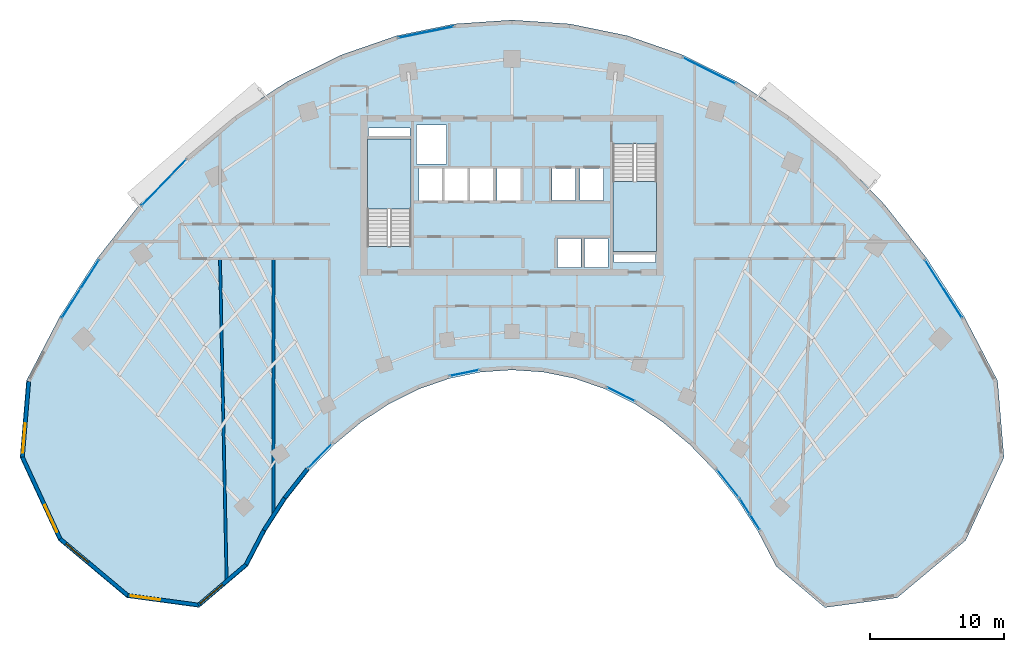
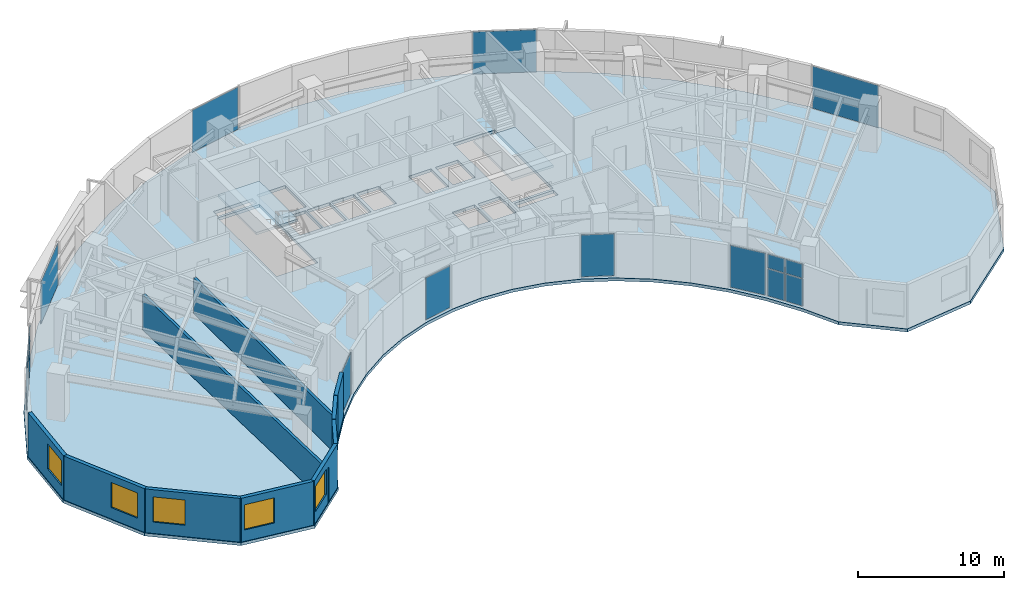
# One storey, part 7 of 14: 16 plates, 10 walls, 5 windows, 3 slabs, 5 openings, 12 elements without a shape of their own.
"""IFC4 building model written with IfcOpenShell, lengths in metres."""

from ifc_helpers import new_model, si_unit, direction, frame, frame_2d, origin, origin_2d, place, context, subcontext, project, spatial, polyline, rectangle, outline, extrude, source, transform, mapped, material, layer, layer_set, type_object, type_shapes, element, fill, aggregate, save


model = new_model("IFC4")

# Units and contexts
model_context = context("Model", 3, precision=1e-05, world=origin(), true_north=direction((0.0, 1.0)))
body_context = subcontext(model_context, "Body", "Model", "MODEL_VIEW")
ifc_project = project(units=[si_unit("LENGTHUNIT", "METRE"), si_unit("AREAUNIT", "SQUARE_METRE"), si_unit("VOLUMEUNIT", "CUBIC_METRE"), si_unit("PLANEANGLEUNIT", "RADIAN"), si_unit("MASSUNIT", "GRAM", prefix="KILO")], contexts=[model_context])

# Site, building, storey
site_placement = place(None, origin())
site = spatial("IfcSite", under=ifc_project, at=site_placement, CompositionType="ELEMENT")
building_placement = place(site_placement, origin())
building = spatial("IfcBuilding", under=site, at=building_placement, Name="Breltana Convention Tower", CompositionType="ELEMENT")
storey_placement = place(building_placement, frame((0.0, 0.0, 138.89990234375)))
storey = spatial("IfcBuildingStorey", under=building, at=storey_placement, Name="L33", CompositionType="ELEMENT", Elevation=138.89990234375)

# Slab
ifc_material_1 = material(Name="Concrete C40/50", Category="concrete")
ifc_layer_1 = layer(ifc_material_1, 0.25, Name="Concrete C40/50")
ifc_layer_set_1 = layer_set([ifc_layer_1], Name="Concrete C40/50")
slab_type_1 = type_object("IfcSlabType", Name="SL-OFF-250", PredefinedType="FLOOR", material=ifc_layer_set_1)
slab_1_placement = place(storey_placement, frame((0.0, 0.0, -0.25)))
element("IfcSlab", 1, at=slab_1_placement, inside=storey, type_object=slab_type_1, Name="L33 Suspended Structural Floor Slab", PredefinedType="FLOOR", context=body_context, shape_type="SweptSolid", body=[
    extrude(outline(polyline([(84.254150390625, 52.3564453125), (81.779052734375, 57.1103515625), (78.958251953125, 61.5048828125), (75.820556640625, 65.494873046875), (72.39794921875, 69.03955078125), (68.7255859375, 72.1025390625), (64.841064453125, 74.652587890625), (60.783935546875, 76.663818359375), (56.59619140625, 78.114990234375), (52.3203125, 78.99169921875), (48.0, 79.284912109375), (43.6796875, 78.99169921875), (39.40380859375, 78.114990234375), (35.216064453125, 76.663818359375), (31.158935546875, 74.652587890625), (27.2744140625, 72.1025390625), (23.60205078125, 69.03955078125), (20.179443359375, 65.494873046875), (17.041748046875, 61.5048828125), (14.220947265625, 57.1103515625), (11.745849609375, 52.3564453125), (11.266357421875, 46.619384765625), (14.128173828125, 40.42919921875), (19.23828125, 36.150146484375), (24.64501953125, 35.4169921875), (28.282958984375, 38.509521484375), (29.62890625, 41.09521484375), (31.1630859375, 43.485107421875), (32.869384765625, 45.655029296875), (34.73095703125, 47.5830078125), (36.728271484375, 49.248779296875), (38.8408203125, 50.6357421875), (41.04736328125, 51.7294921875), (43.324951171875, 52.518798828125), (45.650390625, 52.99560546875), (48.0, 53.155029296875), (50.349609375, 52.99560546875), (52.675048828125, 52.518798828125), (54.95263671875, 51.7294921875), (57.1591796875, 50.6357421875), (59.271728515625, 49.248779296875), (61.26904296875, 47.5830078125), (63.130615234375, 45.655029296875), (64.8369140625, 43.485107421875), (66.37109375, 41.09521484375), (67.717041015625, 38.509521484375), (71.35498046875, 35.4169921875), (76.76171875, 36.150146484375), (81.871826171875, 40.42919921875), (84.733642578125, 46.619384765625), (84.254150390625, 52.3564453125)]), holes=[polyline([(37.199951171875, 62.385009765625), (40.469970703125, 62.385009765625), (40.469970703125, 70.39990234375), (37.199951171875, 70.39990234375), (37.199951171875, 62.385009765625)]), polyline([(55.530029296875, 62.0), (58.800048828125, 62.0), (58.800048828125, 70.014892578125), (55.530029296875, 70.014892578125), (55.530029296875, 62.0)]), polyline([(51.39990234375, 60.800048828125), (53.159912109375, 60.800048828125), (53.159912109375, 62.97998046875), (51.39990234375, 62.97998046875), (51.39990234375, 60.800048828125)]), polyline([(53.39990234375, 60.800048828125), (55.159912109375, 60.800048828125), (55.159912109375, 62.97998046875), (53.39990234375, 62.97998046875), (53.39990234375, 60.800048828125)]), polyline([(41.0400390625, 65.820068359375), (42.800048828125, 65.820068359375), (42.800048828125, 68.179931640625), (41.0400390625, 68.179931640625), (41.0400390625, 65.820068359375)]), polyline([(42.93994140625, 65.820068359375), (44.699951171875, 65.820068359375), (44.699951171875, 68.179931640625), (42.93994140625, 68.179931640625), (42.93994140625, 65.820068359375)]), polyline([(44.8701171875, 65.820068359375), (46.6298828125, 65.820068359375), (46.6298828125, 68.179931640625), (44.8701171875, 68.179931640625), (44.8701171875, 65.820068359375)]), polyline([(46.8701171875, 65.820068359375), (48.6298828125, 65.820068359375), (48.6298828125, 68.179931640625), (46.8701171875, 68.179931640625), (46.8701171875, 65.820068359375)]), polyline([(50.969970703125, 65.800048828125), (52.72998046875, 65.800048828125), (52.72998046875, 68.179931640625), (50.969970703125, 68.179931640625), (50.969970703125, 65.800048828125)]), polyline([(53.070068359375, 65.800048828125), (54.830078125, 65.800048828125), (54.830078125, 68.179931640625), (53.070068359375, 68.179931640625), (53.070068359375, 65.800048828125)]), polyline([(40.8798828125, 68.550048828125), (43.1201171875, 68.550048828125), (43.1201171875, 71.449951171875), (40.8798828125, 71.449951171875), (40.8798828125, 68.550048828125)]), polyline([(37.300048828125, 70.60009765625), (40.3798828125, 70.60009765625), (40.3798828125, 71.219970703125), (37.300048828125, 71.219970703125), (37.300048828125, 70.60009765625)]), polyline([(55.6201171875, 61.179931640625), (58.699951171875, 61.179931640625), (58.699951171875, 61.800048828125), (55.6201171875, 61.800048828125), (55.6201171875, 61.179931640625)])]), origin(), (0.0, 0.0, 1.0), 0.25),
])

# Stair, slab
stair_type = type_object("IfcStairType", Name="ST-DOG-1560-R177", PredefinedType="HALF_TURN_STAIR", material=ifc_material_1)
stair_1_placement = place(storey_placement, origin())
stair_1 = element("IfcStair", 2, at=stair_1_placement, inside=storey, type_object=stair_type, Name="L33 Protected Core Exit Stair ST-1", PredefinedType="HALF_TURN_STAIR")
ifc_layer_2 = layer(ifc_material_1, 0.199951171875, Name="Concrete C40/50")
ifc_layer_set_2 = layer_set([ifc_layer_2], Name="Concrete C40/50")
slab_type_2 = type_object("IfcSlabType", Name="SL-STAIR-LANDING-200", PredefinedType="LANDING", material=ifc_layer_set_2)
slab_2_placement = place(storey_placement, frame((0.0, 0.0, 1.75)))
slab_2 = element("IfcSlab", 3, at=slab_2_placement, type_object=slab_type_2, Name="ST-1 landing 1", PredefinedType="LANDING", context=body_context, shape_type="SweptSolid", body=[
    extrude(outline(polyline([(40.469970703125, 65.159912109375), (40.469970703125, 70.39990234375), (37.199951171875, 70.39990234375), (37.199951171875, 65.159912109375), (40.469970703125, 65.159912109375)])), origin(), (0.0, 0.0, 1.0), 0.2001953125),
])
aggregate(stair_1, [slab_2])

stair_2_placement = place(storey_placement, origin())
stair_2 = element("IfcStair", 4, at=stair_2_placement, inside=storey, type_object=stair_type, Name="L33 Protected Core Exit Stair ST-2", PredefinedType="HALF_TURN_STAIR")
slab_3_placement = place(storey_placement, frame((0.0, 0.0, 1.75)))
slab_3 = element("IfcSlab", 5, at=slab_3_placement, type_object=slab_type_2, Name="ST-2 landing 1", PredefinedType="LANDING", context=body_context, shape_type="SweptSolid", body=[
    extrude(outline(polyline([(55.530029296875, 67.239990234375), (55.530029296875, 62.0), (58.800048828125, 62.0), (58.800048828125, 67.239990234375), (55.530029296875, 67.239990234375)])), origin(), (0.0, 0.0, 1.0), 0.2001953125),
])
aggregate(stair_2, [slab_3])

# Curtain wall, plates
ifc_material_2 = material(Name="Aluminium Anodised Bronze Frame", Category="aluminium")
ifc_layer_3 = layer(ifc_material_2, 0.18994140625, Name="Aluminium Anodised Bronze Frame")
ifc_layer_set_3 = layer_set([ifc_layer_3], Name="Aluminium Anodised Bronze Frame")
curtain_wall_type_1 = type_object("IfcCurtainWallType", Name="CW-SYS-1", PredefinedType="NOTDEFINED", material=ifc_layer_set_3)
curtain_wall_1_placement = place(storey_placement, origin())
curtain_wall_1 = element("IfcCurtainWall", 6, at=curtain_wall_1_placement, inside=storey, type_object=curtain_wall_type_1, Name="L33 inner south-court glazing 1", PredefinedType="NOTDEFINED")
ifc_material_3 = material(Name="Glass Low-E Double Glazing", Category="glass")
ifc_layer_4 = layer(ifc_material_3, 0.028076171875, Name="Glass Low-E Double Glazing")
ifc_layer_set_4 = layer_set([ifc_layer_4], Name="Glass Low-E Double Glazing")
plate_type_1 = type_object("IfcPlateType", Name="CWP-IGU-28", PredefinedType="CURTAIN_PANEL", material=ifc_layer_set_4)
shared_shape_1 = source(origin(), body_context, "Body", "SweptSolid", [
    extrude(rectangle(XDim=1.300048828125, YDim=0.028076171875, at=origin_2d()), origin(), (0.0, 0.0, 1.0), 2.25244140625),
])
plate_1_placement = place(storey_placement, frame((66.128173828125, 41.806640625, 0.080078125), z_axis=(0.0, 0.0, 1.0), x_axis=(-0.5401773017, 0.841551235949, 0.0)))
plate_1 = element("IfcPlate", 7, at=plate_1_placement, type_object=plate_type_1, Name="CW-01 panel 1.1", PredefinedType="CURTAIN_PANEL", context=body_context, shape_type="MappedRepresentation", body=[
    mapped(shared_shape_1, transform((0.0, 0.0, 0.0), scale=1.0)),
])
plate_2_placement = place(storey_placement, frame((65.3828125, 42.968017578125, 0.080078125), z_axis=(0.0, 0.0, 1.0), x_axis=(-0.5401773017, 0.841551235949, 0.0)))
plate_2 = element("IfcPlate", 8, at=plate_2_placement, type_object=plate_type_1, Name="CW-01 panel 2.1", PredefinedType="CURTAIN_PANEL", context=body_context, shape_type="MappedRepresentation", body=[
    mapped(shared_shape_1, transform((0.0, 0.0, 0.0), scale=1.0)),
])
shared_shape_2 = source(origin(), body_context, "Body", "SweptSolid", [
    extrude(rectangle(XDim=1.300048828125, YDim=0.028076171875, at=origin_2d()), origin(), (0.0, 0.0, 1.0), 1.157470703125),
])
plate_3_placement = place(storey_placement, frame((66.128173828125, 41.806640625, 2.41259765625), z_axis=(0.0, 0.0, 1.0), x_axis=(-0.5401773017, 0.841551235949, 0.0)))
plate_3 = element("IfcPlate", 9, at=plate_3_placement, type_object=plate_type_1, Name="CW-01 panel 1.2", PredefinedType="CURTAIN_PANEL", context=body_context, shape_type="MappedRepresentation", body=[
    mapped(shared_shape_2, transform((0.0, 0.0, 0.0), scale=1.0)),
])
plate_4_placement = place(storey_placement, frame((65.3828125, 42.968017578125, 2.41259765625), z_axis=(0.0, 0.0, 1.0), x_axis=(-0.5401773017, 0.841551235949, 0.0)))
plate_4 = element("IfcPlate", 10, at=plate_4_placement, type_object=plate_type_1, Name="CW-01 panel 2.2", PredefinedType="CURTAIN_PANEL", context=body_context, shape_type="MappedRepresentation", body=[
    mapped(shared_shape_2, transform((0.0, 0.0, 0.0), scale=1.0)),
])
aggregate(curtain_wall_1, [plate_1, plate_3, plate_2, plate_4])

# Curtain wall, plate
curtain_wall_2_placement = place(storey_placement, origin())
curtain_wall_2 = element("IfcCurtainWall", 11, at=curtain_wall_2_placement, inside=storey, type_object=curtain_wall_type_1, Name="L33 inner south-court glazing 2", PredefinedType="NOTDEFINED")
shared_shape_3 = source(origin(), body_context, "Body", "SweptSolid", [
    extrude(rectangle(XDim=2.6005859375, YDim=0.028076171875, at=origin_2d()), origin(), (0.0, 0.0, 1.0), 3.489990234375),
])
plate_5_placement = place(storey_placement, frame((64.125244140625, 44.681396484375, 0.080078125), z_axis=(0.0, 0.0, 1.0), x_axis=(-0.61815745037, 0.786054302547, 0.0)))
plate_5 = element("IfcPlate", 12, at=plate_5_placement, type_object=plate_type_1, Name="CW-01 panel 1.1", PredefinedType="CURTAIN_PANEL", context=body_context, shape_type="MappedRepresentation", body=[
    mapped(shared_shape_3, transform((0.0, 0.0, 0.0), scale=1.0)),
])
aggregate(curtain_wall_2, [plate_5])

# Curtain wall, plates
ifc_layer_5 = layer(ifc_material_2, 0.22998046875, Name="Aluminium Anodised Bronze Frame")
ifc_layer_set_5 = layer_set([ifc_layer_5], Name="Aluminium Anodised Bronze Frame")
curtain_wall_type_2 = type_object("IfcCurtainWallType", Name="CW-SYS-5", PredefinedType="NOTDEFINED", material=ifc_layer_set_5)
curtain_wall_3_placement = place(storey_placement, origin())
curtain_wall_3 = element("IfcCurtainWall", 13, at=curtain_wall_3_placement, inside=storey, type_object=curtain_wall_type_2, Name="L33 outer double-skin inner glazing 1", PredefinedType="NOTDEFINED")
ifc_layer_6 = layer(ifc_material_3, 0.035888671875, Name="Glass Low-E Double Glazing")
ifc_layer_set_6 = layer_set([ifc_layer_6], Name="Glass Low-E Double Glazing")
plate_type_2 = type_object("IfcPlateType", Name="CWP-IGU-36", PredefinedType="CURTAIN_PANEL", material=ifc_layer_set_6)
shared_shape_4 = source(origin(), body_context, "Body", "SweptSolid", [
    extrude(rectangle(XDim=2.49755859375, YDim=0.035888671875, at=origin_2d()), origin(), (0.0, 0.0, 1.0), 2.267578125),
])
plate_6_placement = place(storey_placement, frame((15.089111328125, 58.1298828125, 0.070068359375), z_axis=(0.0, 0.0, 1.0), x_axis=(0.540176809834, 0.84155155167, 0.0)))
plate_6 = element("IfcPlate", 14, at=plate_6_placement, type_object=plate_type_2, Name="CW-05 panel 1.1", PredefinedType="CURTAIN_PANEL", context=body_context, shape_type="MappedRepresentation", body=[
    mapped(shared_shape_4, transform((0.0, 0.0, 0.0), scale=1.0)),
])
plate_7_placement = place(storey_placement, frame((16.47607421875, 60.29052734375, 0.070068359375), z_axis=(0.0, 0.0, 1.0), x_axis=(0.540176809834, 0.84155155167, 0.0)))
plate_7 = element("IfcPlate", 15, at=plate_7_placement, type_object=plate_type_2, Name="CW-05 panel 2.1", PredefinedType="CURTAIN_PANEL", context=body_context, shape_type="MappedRepresentation", body=[
    mapped(shared_shape_4, transform((0.0, 0.0, 0.0), scale=1.0)),
])
shared_shape_5 = source(origin(), body_context, "Body", "SweptSolid", [
    extrude(rectangle(XDim=2.49755859375, YDim=0.035888671875, at=origin_2d()), origin(), (0.0, 0.0, 1.0), 1.172607421875),
])
plate_8_placement = place(storey_placement, frame((15.089111328125, 58.1298828125, 2.40771484375), z_axis=(0.0, 0.0, 1.0), x_axis=(0.540176809834, 0.84155155167, 0.0)))
plate_8 = element("IfcPlate", 16, at=plate_8_placement, type_object=plate_type_2, Name="CW-05 panel 1.2", PredefinedType="CURTAIN_PANEL", context=body_context, shape_type="MappedRepresentation", body=[
    mapped(shared_shape_5, transform((0.0, 0.0, 0.0), scale=1.0)),
])
plate_9_placement = place(storey_placement, frame((16.47607421875, 60.29052734375, 2.40771484375), z_axis=(0.0, 0.0, 1.0), x_axis=(0.540176809834, 0.84155155167, 0.0)))
plate_9 = element("IfcPlate", 17, at=plate_9_placement, type_object=plate_type_2, Name="CW-05 panel 2.2", PredefinedType="CURTAIN_PANEL", context=body_context, shape_type="MappedRepresentation", body=[
    mapped(shared_shape_5, transform((0.0, 0.0, 0.0), scale=1.0)),
])
aggregate(curtain_wall_3, [plate_6, plate_8, plate_7, plate_9])

# Curtain wall, plate
curtain_wall_4_placement = place(storey_placement, origin())
curtain_wall_4 = element("IfcCurtainWall", 18, at=curtain_wall_4_placement, inside=storey, type_object=curtain_wall_type_2, Name="L33 outer double-skin inner glazing 4", PredefinedType="NOTDEFINED")
shared_shape_6 = source(origin(), body_context, "Body", "SweptSolid", [
    extrude(rectangle(XDim=4.36572265625, YDim=0.035888671875, at=origin_2d()), origin(), (0.0, 0.0, 1.0), 3.510009765625),
])
plate_10_placement = place(storey_placement, frame((62.73291015625, 75.496826171875, 0.0703125), z_axis=(0.0, 0.0, 1.0), x_axis=(0.895966548937, -0.444121541007, 0.0)))
plate_10 = element("IfcPlate", 19, at=plate_10_placement, type_object=plate_type_2, Name="CW-05 panel 1.1", PredefinedType="CURTAIN_PANEL", context=body_context, shape_type="MappedRepresentation", body=[
    mapped(shared_shape_6, transform((0.0, 0.0, 0.0), scale=1.0)),
])
aggregate(curtain_wall_4, [plate_10])

curtain_wall_5_placement = place(storey_placement, origin())
curtain_wall_5 = element("IfcCurtainWall", 20, at=curtain_wall_5_placement, inside=storey, type_object=curtain_wall_type_2, Name="L33 outer double-skin inner glazing 3", PredefinedType="NOTDEFINED")
shared_shape_7 = source(origin(), body_context, "Body", "SweptSolid", [
    extrude(rectangle(XDim=4.200927734375, YDim=0.035888671875, at=origin_2d()), origin(), (0.0, 0.0, 1.0), 3.510009765625),
])
plate_11_placement = place(storey_placement, frame((41.577880859375, 78.376953125, 0.0703125), z_axis=(0.0, 0.0, 1.0), x_axis=(0.979620254346, 0.200858550415, 0.0)))
plate_11 = element("IfcPlate", 21, at=plate_11_placement, type_object=plate_type_2, Name="CW-05 panel 1.1", PredefinedType="CURTAIN_PANEL", context=body_context, shape_type="MappedRepresentation", body=[
    mapped(shared_shape_7, transform((0.0, 0.0, 0.0), scale=1.0)),
])
aggregate(curtain_wall_5, [plate_11])

curtain_wall_6_placement = place(storey_placement, origin())
curtain_wall_6 = element("IfcCurtainWall", 22, at=curtain_wall_6_placement, inside=storey, type_object=curtain_wall_type_2, Name="L33 outer double-skin inner glazing 2", PredefinedType="NOTDEFINED")
shared_shape_8 = source(origin(), body_context, "Body", "SweptSolid", [
    extrude(rectangle(XDim=4.7685546875, YDim=0.035888671875, at=origin_2d()), origin(), (0.0, 0.0, 1.0), 3.510009765625),
])
plate_12_placement = place(storey_placement, frame((22.02001953125, 67.141845703125, 0.0703125), z_axis=(0.0, 0.0, 1.0), x_axis=(0.694611601605, 0.719384961558, 0.0)))
plate_12 = element("IfcPlate", 23, at=plate_12_placement, type_object=plate_type_2, Name="CW-05 panel 1.1", PredefinedType="CURTAIN_PANEL", context=body_context, shape_type="MappedRepresentation", body=[
    mapped(shared_shape_8, transform((0.0, 0.0, 0.0), scale=1.0)),
])
aggregate(curtain_wall_6, [plate_12])

curtain_wall_7_placement = place(storey_placement, origin())
curtain_wall_7 = element("IfcCurtainWall", 24, at=curtain_wall_7_placement, inside=storey, type_object=curtain_wall_type_1, Name="L33 inner south-court glazing 3", PredefinedType="NOTDEFINED")
shared_shape_9 = source(origin(), body_context, "Body", "SweptSolid", [
    extrude(rectangle(XDim=2.302490234375, YDim=0.028076171875, at=origin_2d()), origin(), (0.0, 0.0, 1.0), 3.489990234375),
])
plate_13_placement = place(storey_placement, frame((56.1357421875, 51.34375, 0.080078125), z_axis=(0.0, 0.0, 1.0), x_axis=(-0.895964953495, 0.444124759622, 0.0)))
plate_13 = element("IfcPlate", 25, at=plate_13_placement, type_object=plate_type_1, Name="CW-01 panel 1.1", PredefinedType="CURTAIN_PANEL", context=body_context, shape_type="MappedRepresentation", body=[
    mapped(shared_shape_9, transform((0.0, 0.0, 0.0), scale=1.0)),
])
aggregate(curtain_wall_7, [plate_13])

curtain_wall_8_placement = place(storey_placement, origin())
curtain_wall_8 = element("IfcCurtainWall", 26, at=curtain_wall_8_placement, inside=storey, type_object=curtain_wall_type_1, Name="L33 inner south-court glazing 4", PredefinedType="NOTDEFINED")
shared_shape_10 = source(origin(), body_context, "Body", "SweptSolid", [
    extrude(rectangle(XDim=2.2138671875, YDim=0.028076171875, at=origin_2d()), origin(), (0.0, 0.0, 1.0), 3.489990234375),
])
plate_14_placement = place(storey_placement, frame((44.451416015625, 52.933349609375, 0.080078125), z_axis=(0.0, 0.0, 1.0), x_axis=(-0.979621406891, -0.200852929183, 0.0)))
plate_14 = element("IfcPlate", 27, at=plate_14_placement, type_object=plate_type_1, Name="CW-01 panel 1.1", PredefinedType="CURTAIN_PANEL", context=body_context, shape_type="MappedRepresentation", body=[
    mapped(shared_shape_10, transform((0.0, 0.0, 0.0), scale=1.0)),
])
aggregate(curtain_wall_8, [plate_14])

curtain_wall_9_placement = place(storey_placement, origin())
curtain_wall_9 = element("IfcCurtainWall", 28, at=curtain_wall_9_placement, inside=storey, type_object=curtain_wall_type_1, Name="L33 inner south-court glazing 5", PredefinedType="NOTDEFINED")
shared_shape_11 = source(origin(), body_context, "Body", "SweptSolid", [
    extrude(rectangle(XDim=2.519775390625, YDim=0.028076171875, at=origin_2d()), origin(), (0.0, 0.0, 1.0), 3.489990234375),
])
plate_15_placement = place(storey_placement, frame((33.670654296875, 46.743896484375, 0.080078125), z_axis=(0.0, 0.0, 1.0), x_axis=(-0.694609164589, -0.719387314642, 0.0)))
plate_15 = element("IfcPlate", 29, at=plate_15_placement, type_object=plate_type_1, Name="CW-01 panel 1.1", PredefinedType="CURTAIN_PANEL", context=body_context, shape_type="MappedRepresentation", body=[
    mapped(shared_shape_11, transform((0.0, 0.0, 0.0), scale=1.0)),
])
aggregate(curtain_wall_9, [plate_15])

curtain_wall_10_placement = place(storey_placement, origin())
curtain_wall_10 = element("IfcCurtainWall", 30, at=curtain_wall_10_placement, inside=storey, type_object=curtain_wall_type_2, Name="L33 outer double-skin inner glazing 5", PredefinedType="NOTDEFINED")
shared_shape_12 = source(origin(), body_context, "Body", "SweptSolid", [
    extrude(rectangle(XDim=5.065185546875, YDim=0.035888671875, at=origin_2d()), origin(), (0.0, 0.0, 1.0), 3.510009765625),
])
plate_16_placement = place(storey_placement, frame((80.21728515625, 59.210205078125, 0.0703125), z_axis=(0.0, 0.0, 1.0), x_axis=(0.540176809834, -0.84155155167, 0.0)))
plate_16 = element("IfcPlate", 31, at=plate_16_placement, type_object=plate_type_2, Name="CW-05 panel 1.1", PredefinedType="CURTAIN_PANEL", context=body_context, shape_type="MappedRepresentation", body=[
    mapped(shared_shape_12, transform((0.0, 0.0, 0.0), scale=1.0)),
])
aggregate(curtain_wall_10, [plate_16])

# Wall, opening, window
ifc_material_4 = material(Name="Limestone Buff Insulated Wall", Category="masonry")
ifc_layer_7 = layer(ifc_material_4, 0.280029296875, Name="Limestone Buff Insulated Wall")
ifc_layer_set_7 = layer_set([ifc_layer_7], Name="Limestone Buff Insulated Wall")
wall_type_1 = type_object("IfcWallType", Name="WL-EXT-NOSE-280", PredefinedType="SOLIDWALL", material=ifc_layer_set_7)
shared_shape_13 = source(origin(), body_context, "Body", "SweptSolid", [
    extrude(rectangle(XDim=5.673583984375, YDim=0.280029296875, at=frame_2d((2.8369140625, 0.0))), origin(), (0.0, 0.0, 1.0), 3.650146484375),
])
wall_1_placement = place(storey_placement, frame((11.44970703125, 46.651611328125, 0.0), z_axis=(0.0, 0.0, 1.0), x_axis=(0.083309007867, 0.996523762491, 0.0)))
wall_1 = element("IfcWall", 32, at=wall_1_placement, inside=storey, type_object=wall_type_1, Name="L33 curved limestone nose wall W6", PredefinedType="SOLIDWALL", context=body_context, shape_type="MappedRepresentation", body=[
    mapped(shared_shape_13, transform((0.0, 0.0, 0.0), scale=1.0)),
])
opening_1_placement = place(wall_1_placement, frame((0.318359375, 0.0, 0.949951171875)))
opening_1 = element("IfcOpeningElement", 33, at=opening_1_placement, cuts=wall_1, Name="Opening W-03", PredefinedType="OPENING", context=body_context, shape_type="SweptSolid", body=[
    extrude(rectangle(XDim=2.199951171875, YDim=2.10009765625, at=frame_2d((1.10009765625, 1.050048828125))), frame((0.0, 0.14990234375, 0.0), z_axis=(0.0, -1.0, 0.0), x_axis=(1.0, 0.0, 0.0)), (0.0, 0.0, 1.0), 0.300048828125),
])
ifc_material_5 = material(Name="Glass Low-E Insulated Window", Category="glass")
window_type = type_object("IfcWindowType", Name="WN-NOSE-2200X2100", PartitioningType="TRIPLE_PANEL_VERTICAL", PredefinedType="WINDOW", material=ifc_material_5)
shared_shape_14 = source(origin(), body_context, "Body", "SweptSolid", [
    extrude(rectangle(XDim=2.199951171875, YDim=2.10009765625, at=frame_2d((1.10009765625, 1.050048828125))), frame((0.0, 0.030029296875, 0.0), z_axis=(0.0, -1.0, 0.0), x_axis=(1.0, 0.0, 0.0)), (0.0, 0.0, 1.0), 0.06005859375),
])
type_shapes(window_type, [shared_shape_14])
window_1_placement = place(opening_1_placement, origin())
window_1 = element("IfcWindow", 34, at=window_1_placement, inside=storey, type_object=window_type, Name="L33 nose window W6", OverallHeight=2.10009765625, OverallWidth=2.199951171875, PartitioningType="TRIPLE_PANEL_VERTICAL", PredefinedType="WINDOW", context=body_context, shape_type="MappedRepresentation", body=[
    mapped(shared_shape_14, transform((0.0, 0.0, 0.0), scale=1.0)),
])
fill(opening_1, window_1)

shared_shape_15 = source(origin(), body_context, "Body", "SweptSolid", [
    extrude(rectangle(XDim=6.731689453125, YDim=0.280029296875, at=frame_2d((3.36572265625, 0.0))), origin(), (0.0, 0.0, 1.0), 3.650146484375),
])
wall_2_placement = place(storey_placement, frame((14.274658203125, 40.541259765625, 0.0), z_axis=(0.0, 0.0, 1.0), x_axis=(-0.419644552709, 0.907688520023, 0.0)))
wall_2 = element("IfcWall", 35, at=wall_2_placement, inside=storey, type_object=wall_type_1, Name="L33 curved limestone nose wall W5", PredefinedType="SOLIDWALL", context=body_context, shape_type="MappedRepresentation", body=[
    mapped(shared_shape_15, transform((0.0, 0.0, 0.0), scale=1.0)),
])
opening_2_placement = place(wall_2_placement, frame((0.5830078125, 0.0, 0.949951171875)))
opening_2 = element("IfcOpeningElement", 36, at=opening_2_placement, cuts=wall_2, Name="Opening W-03", PredefinedType="OPENING", context=body_context, shape_type="SweptSolid", body=[
    extrude(rectangle(XDim=2.199951171875, YDim=2.10009765625, at=frame_2d((1.10009765625, 1.050048828125))), frame((0.0, 0.14990234375, 0.0), z_axis=(0.0, -1.0, 0.0), x_axis=(1.0, 0.0, 0.0)), (0.0, 0.0, 1.0), 0.300048828125),
])
window_2_placement = place(opening_2_placement, origin())
window_2 = element("IfcWindow", 37, at=window_2_placement, inside=storey, type_object=window_type, Name="L33 nose window W5", OverallHeight=2.10009765625, OverallWidth=2.199951171875, PartitioningType="TRIPLE_PANEL_VERTICAL", PredefinedType="WINDOW", context=body_context, shape_type="MappedRepresentation", body=[
    mapped(shared_shape_14, transform((0.0, 0.0, 0.0), scale=1.0)),
])
fill(opening_2, window_2)

shared_shape_16 = source(origin(), body_context, "Body", "SweptSolid", [
    extrude(rectangle(XDim=6.572998046875, YDim=0.280029296875, at=frame_2d((3.28662109375, 0.0))), origin(), (0.0, 0.0, 1.0), 3.650146484375),
])
wall_3_placement = place(storey_placement, frame((19.314208984375, 36.321533203125, 0.0), z_axis=(0.0, 0.0, 1.0), x_axis=(-0.766715154163, 0.641987439423, 0.0)))
wall_3 = element("IfcWall", 38, at=wall_3_placement, inside=storey, type_object=wall_type_1, Name="L33 curved limestone nose wall W4", PredefinedType="SOLIDWALL", context=body_context, shape_type="MappedRepresentation", body=[
    mapped(shared_shape_16, transform((0.0, 0.0, 0.0), scale=1.0)),
])
opening_3_placement = place(wall_3_placement, frame((3.82958984375, 0.0, 0.949951171875)))
opening_3 = element("IfcOpeningElement", 39, at=opening_3_placement, cuts=wall_3, Name="Opening W-03", PredefinedType="OPENING", context=body_context, shape_type="SweptSolid", body=[
    extrude(rectangle(XDim=2.199951171875, YDim=2.10009765625, at=frame_2d((1.10009765625, 1.050048828125))), frame((0.0, 0.14990234375, 0.0), z_axis=(0.0, -1.0, 0.0), x_axis=(1.0, 0.0, 0.0)), (0.0, 0.0, 1.0), 0.300048828125),
])
window_3_placement = place(opening_3_placement, origin())
window_3 = element("IfcWindow", 40, at=window_3_placement, inside=storey, type_object=window_type, Name="L33 nose window W4", OverallHeight=2.10009765625, OverallWidth=2.199951171875, PartitioningType="TRIPLE_PANEL_VERTICAL", PredefinedType="WINDOW", context=body_context, shape_type="MappedRepresentation", body=[
    mapped(shared_shape_14, transform((0.0, 0.0, 0.0), scale=1.0)),
])
fill(opening_3, window_3)

shared_shape_17 = source(origin(), body_context, "Body", "SweptSolid", [
    extrude(rectangle(XDim=5.32373046875, YDim=0.280029296875, at=frame_2d((2.661865234375, 0.0))), origin(), (0.0, 0.0, 1.0), 3.650146484375),
])
wall_4_placement = place(storey_placement, frame((24.589599609375, 35.606201171875, 0.0), z_axis=(0.0, 0.0, 1.0), x_axis=(-0.990931467223, 0.134368252451, 0.0)))
wall_4 = element("IfcWall", 41, at=wall_4_placement, inside=storey, type_object=wall_type_1, Name="L33 curved limestone nose wall W3", PredefinedType="SOLIDWALL", context=body_context, shape_type="MappedRepresentation", body=[
    mapped(shared_shape_17, transform((0.0, 0.0, 0.0), scale=1.0)),
])
opening_4_placement = place(wall_4_placement, frame((2.892822265625, 0.0, 0.949951171875)))
opening_4 = element("IfcOpeningElement", 42, at=opening_4_placement, cuts=wall_4, Name="Opening W-03", PredefinedType="OPENING", context=body_context, shape_type="SweptSolid", body=[
    extrude(rectangle(XDim=2.199951171875, YDim=2.10009765625, at=frame_2d((1.10009765625, 1.050048828125))), frame((0.0, 0.14990234375, 0.0), z_axis=(0.0, -1.0, 0.0), x_axis=(1.0, 0.0, 0.0)), (0.0, 0.0, 1.0), 0.300048828125),
])
window_4_placement = place(opening_4_placement, origin())
window_4 = element("IfcWindow", 43, at=window_4_placement, inside=storey, type_object=window_type, Name="L33 nose window W3", OverallHeight=2.10009765625, OverallWidth=2.199951171875, PartitioningType="TRIPLE_PANEL_VERTICAL", PredefinedType="WINDOW", context=body_context, shape_type="MappedRepresentation", body=[
    mapped(shared_shape_14, transform((0.0, 0.0, 0.0), scale=1.0)),
])
fill(opening_4, window_4)

shared_shape_18 = source(origin(), body_context, "Body", "SweptSolid", [
    extrude(rectangle(XDim=4.6591796875, YDim=0.280029296875, at=frame_2d((2.32958984375, 0.0))), origin(), (0.0, 0.0, 1.0), 3.650146484375),
])
wall_5_placement = place(storey_placement, frame((28.139404296875, 38.623779296875, 0.0), z_axis=(0.0, 0.0, 1.0), x_axis=(-0.761913458795, -0.647678841176, 0.0)))
wall_5 = element("IfcWall", 44, at=wall_5_placement, inside=storey, type_object=wall_type_1, Name="L33 curved limestone nose wall W2", PredefinedType="SOLIDWALL", context=body_context, shape_type="MappedRepresentation", body=[
    mapped(shared_shape_18, transform((0.0, 0.0, 0.0), scale=1.0)),
])
opening_5_placement = place(wall_5_placement, frame((2.29931640625, 0.0, 0.949951171875)))
opening_5 = element("IfcOpeningElement", 45, at=opening_5_placement, cuts=wall_5, Name="Opening W-03", PredefinedType="OPENING", context=body_context, shape_type="SweptSolid", body=[
    extrude(rectangle(XDim=2.199951171875, YDim=2.10009765625, at=frame_2d((1.10009765625, 1.050048828125))), frame((0.0, 0.14990234375, 0.0), z_axis=(0.0, -1.0, 0.0), x_axis=(1.0, 0.0, 0.0)), (0.0, 0.0, 1.0), 0.300048828125),
])
window_5_placement = place(opening_5_placement, origin())
window_5 = element("IfcWindow", 46, at=window_5_placement, inside=storey, type_object=window_type, Name="L33 nose window W2", OverallHeight=2.10009765625, OverallWidth=2.199951171875, PartitioningType="TRIPLE_PANEL_VERTICAL", PredefinedType="WINDOW", context=body_context, shape_type="MappedRepresentation", body=[
    mapped(shared_shape_14, transform((0.0, 0.0, 0.0), scale=1.0)),
])
fill(opening_5, window_5)

# Walls
shared_shape_19 = source(origin(), body_context, "Body", "SweptSolid", [
    extrude(rectangle(XDim=2.8798828125, YDim=0.280029296875, at=frame_2d((1.43994140625, 0.0))), origin(), (0.0, 0.0, 1.0), 3.650146484375),
])
wall_6_placement = place(storey_placement, frame((29.46923828125, 41.17822265625, 0.0), z_axis=(0.0, 0.0, 1.0), x_axis=(-0.461769086658, -0.887000175088, 0.0)))
element("IfcWall", 47, at=wall_6_placement, inside=storey, type_object=wall_type_1, Name="L33 curved limestone nose wall W1", PredefinedType="SOLIDWALL", context=body_context, shape_type="MappedRepresentation", body=[
    mapped(shared_shape_19, transform((0.0, 0.0, 0.0), scale=1.0)),
])
shared_shape_20 = source(origin(), body_context, "Body", "SweptSolid", [
    extrude(rectangle(XDim=2.760498046875, YDim=0.280029296875, at=frame_2d((1.38037109375, 0.0))), origin(), (0.0, 0.0, 1.0), 3.650146484375),
])
wall_7_placement = place(storey_placement, frame((32.72802734375, 45.766357421875, 0.0), z_axis=(0.0, 0.0, 1.0), x_axis=(-0.618180818641, -0.786035925047, 0.0)))
element("IfcWall", 48, at=wall_7_placement, inside=storey, type_object=wall_type_1, Name="L33 curved limestone nose wall E18", PredefinedType="SOLIDWALL", context=body_context, shape_type="MappedRepresentation", body=[
    mapped(shared_shape_20, transform((0.0, 0.0, 0.0), scale=1.0)),
])
shared_shape_21 = source(origin(), body_context, "Body", "SweptSolid", [
    extrude(rectangle(XDim=2.83984375, YDim=0.280029296875, at=frame_2d((1.419921875, 0.0))), origin(), (0.0, 0.0, 1.0), 3.650146484375),
])
wall_8_placement = place(storey_placement, frame((31.011474609375, 43.582275390625, 0.0), z_axis=(0.0, 0.0, 1.0), x_axis=(-0.540214368057, -0.841527442538, 0.0)))
element("IfcWall", 49, at=wall_8_placement, inside=storey, type_object=wall_type_1, Name="L33 curved limestone nose wall E19", PredefinedType="SOLIDWALL", context=body_context, shape_type="MappedRepresentation", body=[
    mapped(shared_shape_21, transform((0.0, 0.0, 0.0), scale=1.0)),
])
ifc_material_6 = material(Name="Autoclaved Aerated Masonry Blockwork", Category="masonry")
ifc_layer_8 = layer(ifc_material_6, 0.2099609375, Name="Autoclaved Aerated Masonry Blockwork")
ifc_layer_set_8 = layer_set([ifc_layer_8], Name="Autoclaved Aerated Masonry Blockwork")
wall_type_2 = type_object("IfcWallType", Name="WL-PART-200", PredefinedType="PARTITIONING", material=ifc_layer_set_8)
shared_shape_22 = source(origin(), body_context, "Body", "SweptSolid", [
    extrude(rectangle(XDim=24.2041015625, YDim=0.2099609375, at=frame_2d((12.10205078125, 0.0))), origin(), (0.0, 0.0, 1.0), 2.942138671875),
])
wall_9_placement = place(storey_placement, frame((26.69775390625, 37.240966796875, 0.0), z_axis=(0.0, 0.0, 1.0), x_axis=(-0.020566881318, 0.999788479326, 0.0)))
element("IfcWall", 50, at=wall_9_placement, inside=storey, type_object=wall_type_2, Name="L33 interior partition W-L33-ZWS1-E", PredefinedType="PARTITIONING", context=body_context, shape_type="MappedRepresentation", body=[
    mapped(shared_shape_22, transform((0.0, 0.0, 0.0), scale=1.0)),
])
shared_shape_23 = source(origin(), body_context, "Body", "SweptSolid", [
    extrude(rectangle(XDim=19.103271484375, YDim=0.2099609375, at=frame_2d((9.5517578125, 0.0))), origin(), (0.0, 0.0, 1.0), 2.942138671875),
])
wall_10_placement = place(storey_placement, frame((30.199951171875, 42.336669921875, 0.0), z_axis=(0.0, 0.0, 1.0), x_axis=(0.0, 1.0, 0.0)))
element("IfcWall", 51, at=wall_10_placement, inside=storey, type_object=wall_type_2, Name="L33 interior partition W-L33-ZWS2-E", PredefinedType="PARTITIONING", context=body_context, shape_type="MappedRepresentation", body=[
    mapped(shared_shape_23, transform((0.0, 0.0, 0.0), scale=1.0)),
])

save(model, "model.ifc")
